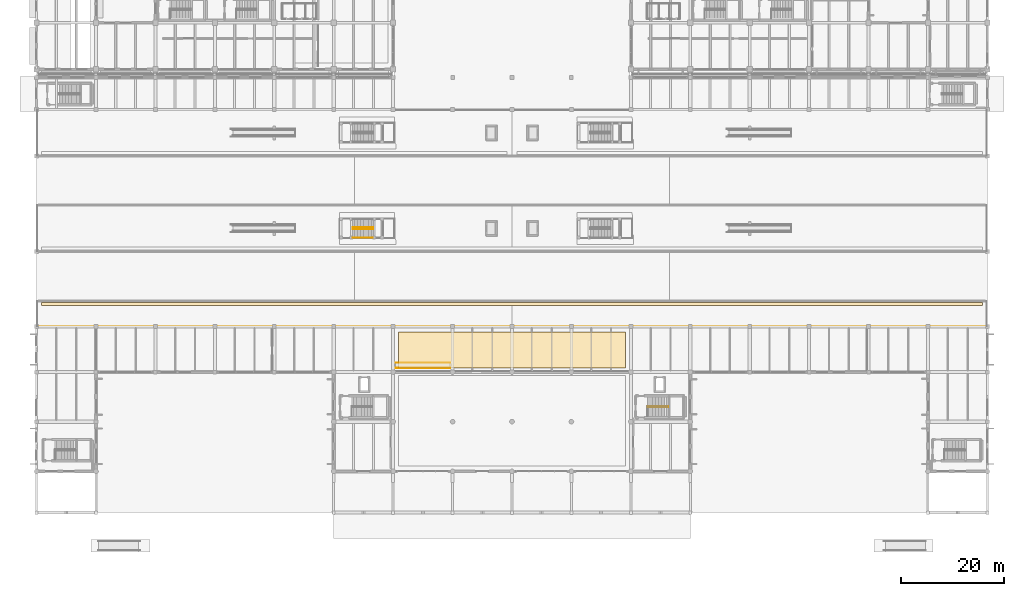
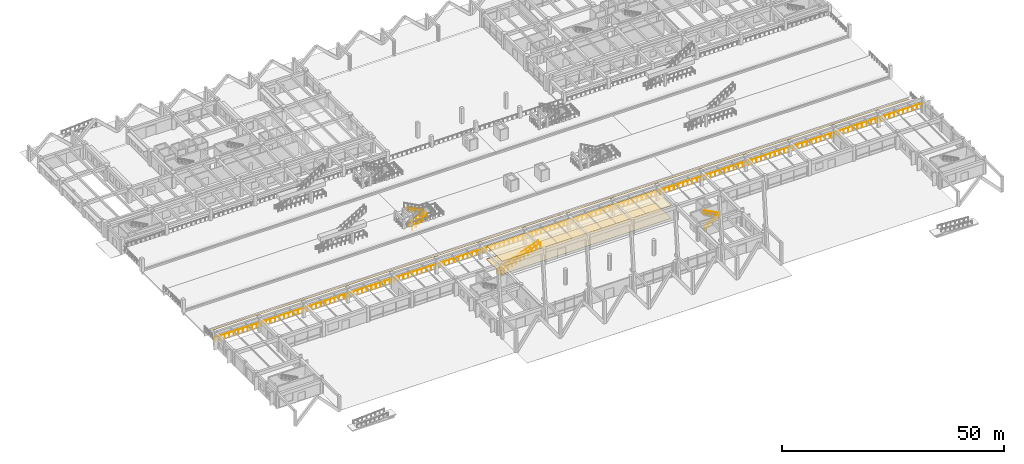
# One storey, part 100 of 109: 7 railings, 3 coverings.
"""IFC4 building model written with IfcOpenShell, lengths in metres."""

from ifc_helpers import new_model, si_unit, direction, frame, origin, origin_2d, place, context, subcontext, project, spatial, polyline, circle, outline, extrude, material, layer, layer_set, type_object, element, save


model = new_model("IFC4")

# Units and contexts
model_context = context("Model", 3, precision=1e-05, world=origin(), true_north=direction((0.0, 1.0)))
body_context = subcontext(model_context, "Body", "Model", "MODEL_VIEW")
ifc_project = project(units=[si_unit("LENGTHUNIT", "METRE"), si_unit("AREAUNIT", "SQUARE_METRE"), si_unit("VOLUMEUNIT", "CUBIC_METRE"), si_unit("PLANEANGLEUNIT", "RADIAN"), si_unit("MASSUNIT", "GRAM", prefix="KILO")], contexts=[model_context])

# Site, building, storey
site_placement = place(None, origin())
site = spatial("IfcSite", under=ifc_project, at=site_placement, CompositionType="ELEMENT")
building_placement = place(site_placement, origin())
building = spatial("IfcBuilding", under=site, at=building_placement, Name="Ologun Quay Terminus", CompositionType="ELEMENT")
storey_placement = place(building_placement, origin())
storey = spatial("IfcBuildingStorey", under=building, at=storey_placement, Name="L00", CompositionType="ELEMENT", Elevation=0.0)

# Railings
ifc_material_1 = material(Name="Glass", Category="glass")
railing_type_1 = type_object("IfcRailingType", Name="Concourse & Atrium Glazed Balustrade 1150", PredefinedType="BALUSTRADE", material=ifc_material_1)
for number, where, name in (
    (1, (69.5, 27.97998046875, 0.0), "BL-GL Escalator Side Balustrade ESC-05-S"),
    (2, (69.5, 29.02001953125, 0.0), "BL-GL Escalator Side Balustrade ESC-05-N"),
):
    element("IfcRailing", number, at=place(storey_placement, frame(where)), inside=storey, type_object=railing_type_1, Name=name, PredefinedType="BALUSTRADE", context=body_context, shape_type="SweptSolid", body=[
        extrude(circle(Radius=0.02392578125, at=origin_2d()), frame((0.0, 0.0, 1.1259765625), z_axis=(0.92847817974, 0.0, 0.371386954196), x_axis=(0.0, 1.0, 0.0)), (0.0, 0.0, 1.0), 11.308837890625),
        extrude(circle(Radius=0.02099609375, at=origin_2d()), origin(), (0.0, 0.0, 1.0), 1.101806640625),
        extrude(circle(Radius=0.02099609375, at=origin_2d()), frame((1.050048828125, 0.0, 0.419921875)), (0.0, 0.0, 1.0), 1.101806640625),
        extrude(circle(Radius=0.02099609375, at=origin_2d()), frame((2.10009765625, 0.0, 0.840087890625)), (0.0, 0.0, 1.0), 1.101806640625),
        extrude(circle(Radius=0.02099609375, at=origin_2d()), frame((3.14990234375, 0.0, 1.260009765625)), (0.0, 0.0, 1.0), 1.101806640625),
        extrude(circle(Radius=0.02099609375, at=origin_2d()), frame((4.199951171875, 0.0, 1.679931640625)), (0.0, 0.0, 1.0), 1.101806640625),
        extrude(circle(Radius=0.02099609375, at=origin_2d()), frame((5.25, 0.0, 2.10009765625)), (0.0, 0.0, 1.0), 1.101806640625),
        extrude(circle(Radius=0.02099609375, at=origin_2d()), frame((6.300048828125, 0.0, 2.52001953125)), (0.0, 0.0, 1.0), 1.101806640625),
        extrude(circle(Radius=0.02099609375, at=origin_2d()), frame((7.35009765625, 0.0, 2.93994140625)), (0.0, 0.0, 1.0), 1.101806640625),
        extrude(circle(Radius=0.02099609375, at=origin_2d()), frame((8.39990234375, 0.0, 3.35986328125)), (0.0, 0.0, 1.0), 1.101806640625),
        extrude(circle(Radius=0.02099609375, at=origin_2d()), frame((9.449951171875, 0.0, 3.780029296875)), (0.0, 0.0, 1.0), 1.101806640625),
        extrude(circle(Radius=0.02099609375, at=origin_2d()), frame((10.5, 0.0, 4.199951171875)), (0.0, 0.0, 1.0), 1.101806640625),
    ])
railing_1_placement = place(storey_placement, frame((0.1201171875, 36.080078125, 1.25)))
element("IfcRailing", 3, at=railing_1_placement, inside=storey, type_object=railing_type_1, Name="BL-GL Platform 3 South Edge Guard L00", PredefinedType="BALUSTRADE", context=body_context, shape_type="SweptSolid", body=[
    extrude(circle(Radius=0.02392578125, at=origin_2d()), frame((0.0, 0.0, 1.1259765625), z_axis=(1.0, 0.0, 0.0), x_axis=(0.0, 1.0, 0.0)), (0.0, 0.0, 1.0), 183.759765625),
    extrude(circle(Radius=0.02099609375, at=origin_2d()), origin(), (0.0, 0.0, 1.0), 1.101806640625),
    extrude(circle(Radius=0.02099609375, at=origin_2d()), frame((1.193359375, 0.0, 0.0)), (0.0, 0.0, 1.0), 1.101806640625),
    extrude(circle(Radius=0.02099609375, at=origin_2d()), frame((2.386474609375, 0.0, 0.0)), (0.0, 0.0, 1.0), 1.101806640625),
    extrude(circle(Radius=0.02099609375, at=origin_2d()), frame((3.579833984375, 0.0, 0.0)), (0.0, 0.0, 1.0), 1.101806640625),
    extrude(circle(Radius=0.02099609375, at=origin_2d()), frame((4.77294921875, 0.0, 0.0)), (0.0, 0.0, 1.0), 1.101806640625),
    extrude(circle(Radius=0.02099609375, at=origin_2d()), frame((5.96630859375, 0.0, 0.0)), (0.0, 0.0, 1.0), 1.101806640625),
    extrude(circle(Radius=0.02099609375, at=origin_2d()), frame((7.159423828125, 0.0, 0.0)), (0.0, 0.0, 1.0), 1.101806640625),
    extrude(circle(Radius=0.02099609375, at=origin_2d()), frame((8.352783203125, 0.0, 0.0)), (0.0, 0.0, 1.0), 1.101806640625),
    extrude(circle(Radius=0.02099609375, at=origin_2d()), frame((9.5458984375, 0.0, 0.0)), (0.0, 0.0, 1.0), 1.101806640625),
    extrude(circle(Radius=0.02099609375, at=origin_2d()), frame((10.7392578125, 0.0, 0.0)), (0.0, 0.0, 1.0), 1.101806640625),
    extrude(circle(Radius=0.02099609375, at=origin_2d()), frame((11.932373046875, 0.0, 0.0)), (0.0, 0.0, 1.0), 1.101806640625),
    extrude(circle(Radius=0.02099609375, at=origin_2d()), frame((13.125732421875, 0.0, 0.0)), (0.0, 0.0, 1.0), 1.101806640625),
    extrude(circle(Radius=0.02099609375, at=origin_2d()), frame((14.31884765625, 0.0, 0.0)), (0.0, 0.0, 1.0), 1.101806640625),
    extrude(circle(Radius=0.02099609375, at=origin_2d()), frame((15.51220703125, 0.0, 0.0)), (0.0, 0.0, 1.0), 1.101806640625),
    extrude(circle(Radius=0.02099609375, at=origin_2d()), frame((16.705322265625, 0.0, 0.0)), (0.0, 0.0, 1.0), 1.101806640625),
    extrude(circle(Radius=0.02099609375, at=origin_2d()), frame((17.898681640625, 0.0, 0.0)), (0.0, 0.0, 1.0), 1.101806640625),
    extrude(circle(Radius=0.02099609375, at=origin_2d()), frame((19.092041015625, 0.0, 0.0)), (0.0, 0.0, 1.0), 1.101806640625),
    extrude(circle(Radius=0.02099609375, at=origin_2d()), frame((20.28515625, 0.0, 0.0)), (0.0, 0.0, 1.0), 1.101806640625),
    extrude(circle(Radius=0.02099609375, at=origin_2d()), frame((21.478515625, 0.0, 0.0)), (0.0, 0.0, 1.0), 1.101806640625),
    extrude(circle(Radius=0.02099609375, at=origin_2d()), frame((22.671630859375, 0.0, 0.0)), (0.0, 0.0, 1.0), 1.101806640625),
    extrude(circle(Radius=0.02099609375, at=origin_2d()), frame((23.864990234375, 0.0, 0.0)), (0.0, 0.0, 1.0), 1.101806640625),
    extrude(circle(Radius=0.02099609375, at=origin_2d()), frame((25.05810546875, 0.0, 0.0)), (0.0, 0.0, 1.0), 1.101806640625),
    extrude(circle(Radius=0.02099609375, at=origin_2d()), frame((26.25146484375, 0.0, 0.0)), (0.0, 0.0, 1.0), 1.101806640625),
    extrude(circle(Radius=0.02099609375, at=origin_2d()), frame((27.444580078125, 0.0, 0.0)), (0.0, 0.0, 1.0), 1.101806640625),
    extrude(circle(Radius=0.02099609375, at=origin_2d()), frame((28.637939453125, 0.0, 0.0)), (0.0, 0.0, 1.0), 1.101806640625),
    extrude(circle(Radius=0.02099609375, at=origin_2d()), frame((29.8310546875, 0.0, 0.0)), (0.0, 0.0, 1.0), 1.101806640625),
    extrude(circle(Radius=0.02099609375, at=origin_2d()), frame((31.0244140625, 0.0, 0.0)), (0.0, 0.0, 1.0), 1.101806640625),
    extrude(circle(Radius=0.02099609375, at=origin_2d()), frame((32.217529296875, 0.0, 0.0)), (0.0, 0.0, 1.0), 1.101806640625),
    extrude(circle(Radius=0.02099609375, at=origin_2d()), frame((33.410888671875, 0.0, 0.0)), (0.0, 0.0, 1.0), 1.101806640625),
    extrude(circle(Radius=0.02099609375, at=origin_2d()), frame((34.60400390625, 0.0, 0.0)), (0.0, 0.0, 1.0), 1.101806640625),
    extrude(circle(Radius=0.02099609375, at=origin_2d()), frame((35.79736328125, 0.0, 0.0)), (0.0, 0.0, 1.0), 1.101806640625),
    extrude(circle(Radius=0.02099609375, at=origin_2d()), frame((36.99072265625, 0.0, 0.0)), (0.0, 0.0, 1.0), 1.101806640625),
    extrude(circle(Radius=0.02099609375, at=origin_2d()), frame((38.183837890625, 0.0, 0.0)), (0.0, 0.0, 1.0), 1.101806640625),
    extrude(circle(Radius=0.02099609375, at=origin_2d()), frame((39.377197265625, 0.0, 0.0)), (0.0, 0.0, 1.0), 1.101806640625),
    extrude(circle(Radius=0.02099609375, at=origin_2d()), frame((40.5703125, 0.0, 0.0)), (0.0, 0.0, 1.0), 1.101806640625),
    extrude(circle(Radius=0.02099609375, at=origin_2d()), frame((41.763671875, 0.0, 0.0)), (0.0, 0.0, 1.0), 1.101806640625),
    extrude(circle(Radius=0.02099609375, at=origin_2d()), frame((42.956787109375, 0.0, 0.0)), (0.0, 0.0, 1.0), 1.101806640625),
    extrude(circle(Radius=0.02099609375, at=origin_2d()), frame((44.150146484375, 0.0, 0.0)), (0.0, 0.0, 1.0), 1.101806640625),
    extrude(circle(Radius=0.02099609375, at=origin_2d()), frame((45.34326171875, 0.0, 0.0)), (0.0, 0.0, 1.0), 1.101806640625),
    extrude(circle(Radius=0.02099609375, at=origin_2d()), frame((46.53662109375, 0.0, 0.0)), (0.0, 0.0, 1.0), 1.101806640625),
    extrude(circle(Radius=0.02099609375, at=origin_2d()), frame((47.729736328125, 0.0, 0.0)), (0.0, 0.0, 1.0), 1.101806640625),
    extrude(circle(Radius=0.02099609375, at=origin_2d()), frame((48.923095703125, 0.0, 0.0)), (0.0, 0.0, 1.0), 1.101806640625),
    extrude(circle(Radius=0.02099609375, at=origin_2d()), frame((50.1162109375, 0.0, 0.0)), (0.0, 0.0, 1.0), 1.101806640625),
    extrude(circle(Radius=0.02099609375, at=origin_2d()), frame((51.3095703125, 0.0, 0.0)), (0.0, 0.0, 1.0), 1.101806640625),
    extrude(circle(Radius=0.02099609375, at=origin_2d()), frame((52.502685546875, 0.0, 0.0)), (0.0, 0.0, 1.0), 1.101806640625),
    extrude(circle(Radius=0.02099609375, at=origin_2d()), frame((53.696044921875, 0.0, 0.0)), (0.0, 0.0, 1.0), 1.101806640625),
    extrude(circle(Radius=0.02099609375, at=origin_2d()), frame((54.88916015625, 0.0, 0.0)), (0.0, 0.0, 1.0), 1.101806640625),
    extrude(circle(Radius=0.02099609375, at=origin_2d()), frame((56.08251953125, 0.0, 0.0)), (0.0, 0.0, 1.0), 1.101806640625),
    extrude(circle(Radius=0.02099609375, at=origin_2d()), frame((57.27587890625, 0.0, 0.0)), (0.0, 0.0, 1.0), 1.101806640625),
    extrude(circle(Radius=0.02099609375, at=origin_2d()), frame((58.468994140625, 0.0, 0.0)), (0.0, 0.0, 1.0), 1.101806640625),
    extrude(circle(Radius=0.02099609375, at=origin_2d()), frame((59.662353515625, 0.0, 0.0)), (0.0, 0.0, 1.0), 1.101806640625),
    extrude(circle(Radius=0.02099609375, at=origin_2d()), frame((60.85546875, 0.0, 0.0)), (0.0, 0.0, 1.0), 1.101806640625),
    extrude(circle(Radius=0.02099609375, at=origin_2d()), frame((62.048828125, 0.0, 0.0)), (0.0, 0.0, 1.0), 1.101806640625),
    extrude(circle(Radius=0.02099609375, at=origin_2d()), frame((63.241943359375, 0.0, 0.0)), (0.0, 0.0, 1.0), 1.101806640625),
    extrude(circle(Radius=0.02099609375, at=origin_2d()), frame((64.435302734375, 0.0, 0.0)), (0.0, 0.0, 1.0), 1.101806640625),
    extrude(circle(Radius=0.02099609375, at=origin_2d()), frame((65.62841796875, 0.0, 0.0)), (0.0, 0.0, 1.0), 1.101806640625),
    extrude(circle(Radius=0.02099609375, at=origin_2d()), frame((66.82177734375, 0.0, 0.0)), (0.0, 0.0, 1.0), 1.101806640625),
    extrude(circle(Radius=0.02099609375, at=origin_2d()), frame((68.014892578125, 0.0, 0.0)), (0.0, 0.0, 1.0), 1.101806640625),
    extrude(circle(Radius=0.02099609375, at=origin_2d()), frame((69.208251953125, 0.0, 0.0)), (0.0, 0.0, 1.0), 1.101806640625),
    extrude(circle(Radius=0.02099609375, at=origin_2d()), frame((70.4013671875, 0.0, 0.0)), (0.0, 0.0, 1.0), 1.101806640625),
    extrude(circle(Radius=0.02099609375, at=origin_2d()), frame((71.5947265625, 0.0, 0.0)), (0.0, 0.0, 1.0), 1.101806640625),
    extrude(circle(Radius=0.02099609375, at=origin_2d()), frame((72.787841796875, 0.0, 0.0)), (0.0, 0.0, 1.0), 1.101806640625),
    extrude(circle(Radius=0.02099609375, at=origin_2d()), frame((73.981201171875, 0.0, 0.0)), (0.0, 0.0, 1.0), 1.101806640625),
    extrude(circle(Radius=0.02099609375, at=origin_2d()), frame((75.174560546875, 0.0, 0.0)), (0.0, 0.0, 1.0), 1.101806640625),
    extrude(circle(Radius=0.02099609375, at=origin_2d()), frame((76.36767578125, 0.0, 0.0)), (0.0, 0.0, 1.0), 1.101806640625),
    extrude(circle(Radius=0.02099609375, at=origin_2d()), frame((77.56103515625, 0.0, 0.0)), (0.0, 0.0, 1.0), 1.101806640625),
    extrude(circle(Radius=0.02099609375, at=origin_2d()), frame((78.754150390625, 0.0, 0.0)), (0.0, 0.0, 1.0), 1.101806640625),
    extrude(circle(Radius=0.02099609375, at=origin_2d()), frame((79.947509765625, 0.0, 0.0)), (0.0, 0.0, 1.0), 1.101806640625),
    extrude(circle(Radius=0.02099609375, at=origin_2d()), frame((81.140625, 0.0, 0.0)), (0.0, 0.0, 1.0), 1.101806640625),
    extrude(circle(Radius=0.02099609375, at=origin_2d()), frame((82.333984375, 0.0, 0.0)), (0.0, 0.0, 1.0), 1.101806640625),
    extrude(circle(Radius=0.02099609375, at=origin_2d()), frame((83.527099609375, 0.0, 0.0)), (0.0, 0.0, 1.0), 1.101806640625),
    extrude(circle(Radius=0.02099609375, at=origin_2d()), frame((84.720458984375, 0.0, 0.0)), (0.0, 0.0, 1.0), 1.101806640625),
    extrude(circle(Radius=0.02099609375, at=origin_2d()), frame((85.91357421875, 0.0, 0.0)), (0.0, 0.0, 1.0), 1.101806640625),
    extrude(circle(Radius=0.02099609375, at=origin_2d()), frame((87.10693359375, 0.0, 0.0)), (0.0, 0.0, 1.0), 1.101806640625),
    extrude(circle(Radius=0.02099609375, at=origin_2d()), frame((88.300048828125, 0.0, 0.0)), (0.0, 0.0, 1.0), 1.101806640625),
    extrude(circle(Radius=0.02099609375, at=origin_2d()), frame((89.493408203125, 0.0, 0.0)), (0.0, 0.0, 1.0), 1.101806640625),
    extrude(circle(Radius=0.02099609375, at=origin_2d()), frame((90.6865234375, 0.0, 0.0)), (0.0, 0.0, 1.0), 1.101806640625),
    extrude(circle(Radius=0.02099609375, at=origin_2d()), frame((91.8798828125, 0.0, 0.0)), (0.0, 0.0, 1.0), 1.101806640625),
    extrude(circle(Radius=0.02099609375, at=origin_2d()), frame((93.0732421875, 0.0, 0.0)), (0.0, 0.0, 1.0), 1.101806640625),
    extrude(circle(Radius=0.02099609375, at=origin_2d()), frame((94.266357421875, 0.0, 0.0)), (0.0, 0.0, 1.0), 1.101806640625),
    extrude(circle(Radius=0.02099609375, at=origin_2d()), frame((95.459716796875, 0.0, 0.0)), (0.0, 0.0, 1.0), 1.101806640625),
    extrude(circle(Radius=0.02099609375, at=origin_2d()), frame((96.65283203125, 0.0, 0.0)), (0.0, 0.0, 1.0), 1.101806640625),
    extrude(circle(Radius=0.02099609375, at=origin_2d()), frame((97.84619140625, 0.0, 0.0)), (0.0, 0.0, 1.0), 1.101806640625),
    extrude(circle(Radius=0.02099609375, at=origin_2d()), frame((99.039306640625, 0.0, 0.0)), (0.0, 0.0, 1.0), 1.101806640625),
    extrude(circle(Radius=0.02099609375, at=origin_2d()), frame((100.232666015625, 0.0, 0.0)), (0.0, 0.0, 1.0), 1.101806640625),
    extrude(circle(Radius=0.02099609375, at=origin_2d()), frame((101.42578125, 0.0, 0.0)), (0.0, 0.0, 1.0), 1.101806640625),
    extrude(circle(Radius=0.02099609375, at=origin_2d()), frame((102.619140625, 0.0, 0.0)), (0.0, 0.0, 1.0), 1.101806640625),
    extrude(circle(Radius=0.02099609375, at=origin_2d()), frame((103.812255859375, 0.0, 0.0)), (0.0, 0.0, 1.0), 1.101806640625),
    extrude(circle(Radius=0.02099609375, at=origin_2d()), frame((105.005615234375, 0.0, 0.0)), (0.0, 0.0, 1.0), 1.101806640625),
    extrude(circle(Radius=0.02099609375, at=origin_2d()), frame((106.19873046875, 0.0, 0.0)), (0.0, 0.0, 1.0), 1.101806640625),
    extrude(circle(Radius=0.02099609375, at=origin_2d()), frame((107.39208984375, 0.0, 0.0)), (0.0, 0.0, 1.0), 1.101806640625),
    extrude(circle(Radius=0.02099609375, at=origin_2d()), frame((108.585205078125, 0.0, 0.0)), (0.0, 0.0, 1.0), 1.101806640625),
    extrude(circle(Radius=0.02099609375, at=origin_2d()), frame((109.778564453125, 0.0, 0.0)), (0.0, 0.0, 1.0), 1.101806640625),
    extrude(circle(Radius=0.02099609375, at=origin_2d()), frame((110.971923828125, 0.0, 0.0)), (0.0, 0.0, 1.0), 1.101806640625),
    extrude(circle(Radius=0.02099609375, at=origin_2d()), frame((112.1650390625, 0.0, 0.0)), (0.0, 0.0, 1.0), 1.101806640625),
    extrude(circle(Radius=0.02099609375, at=origin_2d()), frame((113.3583984375, 0.0, 0.0)), (0.0, 0.0, 1.0), 1.101806640625),
    extrude(circle(Radius=0.02099609375, at=origin_2d()), frame((114.551513671875, 0.0, 0.0)), (0.0, 0.0, 1.0), 1.101806640625),
    extrude(circle(Radius=0.02099609375, at=origin_2d()), frame((115.744873046875, 0.0, 0.0)), (0.0, 0.0, 1.0), 1.101806640625),
    extrude(circle(Radius=0.02099609375, at=origin_2d()), frame((116.93798828125, 0.0, 0.0)), (0.0, 0.0, 1.0), 1.101806640625),
    extrude(circle(Radius=0.02099609375, at=origin_2d()), frame((118.13134765625, 0.0, 0.0)), (0.0, 0.0, 1.0), 1.101806640625),
    extrude(circle(Radius=0.02099609375, at=origin_2d()), frame((119.324462890625, 0.0, 0.0)), (0.0, 0.0, 1.0), 1.101806640625),
    extrude(circle(Radius=0.02099609375, at=origin_2d()), frame((120.517822265625, 0.0, 0.0)), (0.0, 0.0, 1.0), 1.101806640625),
    extrude(circle(Radius=0.02099609375, at=origin_2d()), frame((121.7109375, 0.0, 0.0)), (0.0, 0.0, 1.0), 1.101806640625),
    extrude(circle(Radius=0.02099609375, at=origin_2d()), frame((122.904296875, 0.0, 0.0)), (0.0, 0.0, 1.0), 1.101806640625),
    extrude(circle(Radius=0.02099609375, at=origin_2d()), frame((124.097412109375, 0.0, 0.0)), (0.0, 0.0, 1.0), 1.101806640625),
    extrude(circle(Radius=0.02099609375, at=origin_2d()), frame((125.290771484375, 0.0, 0.0)), (0.0, 0.0, 1.0), 1.101806640625),
    extrude(circle(Radius=0.02099609375, at=origin_2d()), frame((126.48388671875, 0.0, 0.0)), (0.0, 0.0, 1.0), 1.101806640625),
    extrude(circle(Radius=0.02099609375, at=origin_2d()), frame((127.67724609375, 0.0, 0.0)), (0.0, 0.0, 1.0), 1.101806640625),
    extrude(circle(Radius=0.02099609375, at=origin_2d()), frame((128.87060546875, 0.0, 0.0)), (0.0, 0.0, 1.0), 1.101806640625),
    extrude(circle(Radius=0.02099609375, at=origin_2d()), frame((130.063720703125, 0.0, 0.0)), (0.0, 0.0, 1.0), 1.101806640625),
    extrude(circle(Radius=0.02099609375, at=origin_2d()), frame((131.257080078125, 0.0, 0.0)), (0.0, 0.0, 1.0), 1.101806640625),
    extrude(circle(Radius=0.02099609375, at=origin_2d()), frame((132.4501953125, 0.0, 0.0)), (0.0, 0.0, 1.0), 1.101806640625),
    extrude(circle(Radius=0.02099609375, at=origin_2d()), frame((133.6435546875, 0.0, 0.0)), (0.0, 0.0, 1.0), 1.101806640625),
    extrude(circle(Radius=0.02099609375, at=origin_2d()), frame((134.836669921875, 0.0, 0.0)), (0.0, 0.0, 1.0), 1.101806640625),
    extrude(circle(Radius=0.02099609375, at=origin_2d()), frame((136.030029296875, 0.0, 0.0)), (0.0, 0.0, 1.0), 1.101806640625),
    extrude(circle(Radius=0.02099609375, at=origin_2d()), frame((137.22314453125, 0.0, 0.0)), (0.0, 0.0, 1.0), 1.101806640625),
    extrude(circle(Radius=0.02099609375, at=origin_2d()), frame((138.41650390625, 0.0, 0.0)), (0.0, 0.0, 1.0), 1.101806640625),
    extrude(circle(Radius=0.02099609375, at=origin_2d()), frame((139.609619140625, 0.0, 0.0)), (0.0, 0.0, 1.0), 1.101806640625),
    extrude(circle(Radius=0.02099609375, at=origin_2d()), frame((140.802978515625, 0.0, 0.0)), (0.0, 0.0, 1.0), 1.101806640625),
    extrude(circle(Radius=0.02099609375, at=origin_2d()), frame((141.99609375, 0.0, 0.0)), (0.0, 0.0, 1.0), 1.101806640625),
    extrude(circle(Radius=0.02099609375, at=origin_2d()), frame((143.189453125, 0.0, 0.0)), (0.0, 0.0, 1.0), 1.101806640625),
    extrude(circle(Radius=0.02099609375, at=origin_2d()), frame((144.382568359375, 0.0, 0.0)), (0.0, 0.0, 1.0), 1.101806640625),
    extrude(circle(Radius=0.02099609375, at=origin_2d()), frame((145.575927734375, 0.0, 0.0)), (0.0, 0.0, 1.0), 1.101806640625),
    extrude(circle(Radius=0.02099609375, at=origin_2d()), frame((146.76904296875, 0.0, 0.0)), (0.0, 0.0, 1.0), 1.101806640625),
    extrude(circle(Radius=0.02099609375, at=origin_2d()), frame((147.96240234375, 0.0, 0.0)), (0.0, 0.0, 1.0), 1.101806640625),
    extrude(circle(Radius=0.02099609375, at=origin_2d()), frame((149.15576171875, 0.0, 0.0)), (0.0, 0.0, 1.0), 1.101806640625),
    extrude(circle(Radius=0.02099609375, at=origin_2d()), frame((150.348876953125, 0.0, 0.0)), (0.0, 0.0, 1.0), 1.101806640625),
    extrude(circle(Radius=0.02099609375, at=origin_2d()), frame((151.542236328125, 0.0, 0.0)), (0.0, 0.0, 1.0), 1.101806640625),
    extrude(circle(Radius=0.02099609375, at=origin_2d()), frame((152.7353515625, 0.0, 0.0)), (0.0, 0.0, 1.0), 1.101806640625),
    extrude(circle(Radius=0.02099609375, at=origin_2d()), frame((153.9287109375, 0.0, 0.0)), (0.0, 0.0, 1.0), 1.101806640625),
    extrude(circle(Radius=0.02099609375, at=origin_2d()), frame((155.121826171875, 0.0, 0.0)), (0.0, 0.0, 1.0), 1.101806640625),
    extrude(circle(Radius=0.02099609375, at=origin_2d()), frame((156.315185546875, 0.0, 0.0)), (0.0, 0.0, 1.0), 1.101806640625),
    extrude(circle(Radius=0.02099609375, at=origin_2d()), frame((157.50830078125, 0.0, 0.0)), (0.0, 0.0, 1.0), 1.101806640625),
    extrude(circle(Radius=0.02099609375, at=origin_2d()), frame((158.70166015625, 0.0, 0.0)), (0.0, 0.0, 1.0), 1.101806640625),
    extrude(circle(Radius=0.02099609375, at=origin_2d()), frame((159.894775390625, 0.0, 0.0)), (0.0, 0.0, 1.0), 1.101806640625),
    extrude(circle(Radius=0.02099609375, at=origin_2d()), frame((161.088134765625, 0.0, 0.0)), (0.0, 0.0, 1.0), 1.101806640625),
    extrude(circle(Radius=0.02099609375, at=origin_2d()), frame((162.28125, 0.0, 0.0)), (0.0, 0.0, 1.0), 1.101806640625),
    extrude(circle(Radius=0.02099609375, at=origin_2d()), frame((163.474609375, 0.0, 0.0)), (0.0, 0.0, 1.0), 1.101806640625),
    extrude(circle(Radius=0.02099609375, at=origin_2d()), frame((164.667724609375, 0.0, 0.0)), (0.0, 0.0, 1.0), 1.101806640625),
    extrude(circle(Radius=0.02099609375, at=origin_2d()), frame((165.861083984375, 0.0, 0.0)), (0.0, 0.0, 1.0), 1.101806640625),
    extrude(circle(Radius=0.02099609375, at=origin_2d()), frame((167.054443359375, 0.0, 0.0)), (0.0, 0.0, 1.0), 1.101806640625),
    extrude(circle(Radius=0.02099609375, at=origin_2d()), frame((168.24755859375, 0.0, 0.0)), (0.0, 0.0, 1.0), 1.101806640625),
    extrude(circle(Radius=0.02099609375, at=origin_2d()), frame((169.44091796875, 0.0, 0.0)), (0.0, 0.0, 1.0), 1.101806640625),
    extrude(circle(Radius=0.02099609375, at=origin_2d()), frame((170.634033203125, 0.0, 0.0)), (0.0, 0.0, 1.0), 1.101806640625),
    extrude(circle(Radius=0.02099609375, at=origin_2d()), frame((171.827392578125, 0.0, 0.0)), (0.0, 0.0, 1.0), 1.101806640625),
    extrude(circle(Radius=0.02099609375, at=origin_2d()), frame((173.0205078125, 0.0, 0.0)), (0.0, 0.0, 1.0), 1.101806640625),
    extrude(circle(Radius=0.02099609375, at=origin_2d()), frame((174.2138671875, 0.0, 0.0)), (0.0, 0.0, 1.0), 1.101806640625),
    extrude(circle(Radius=0.02099609375, at=origin_2d()), frame((175.406982421875, 0.0, 0.0)), (0.0, 0.0, 1.0), 1.101806640625),
    extrude(circle(Radius=0.02099609375, at=origin_2d()), frame((176.600341796875, 0.0, 0.0)), (0.0, 0.0, 1.0), 1.101806640625),
    extrude(circle(Radius=0.02099609375, at=origin_2d()), frame((177.79345703125, 0.0, 0.0)), (0.0, 0.0, 1.0), 1.101806640625),
    extrude(circle(Radius=0.02099609375, at=origin_2d()), frame((178.98681640625, 0.0, 0.0)), (0.0, 0.0, 1.0), 1.101806640625),
    extrude(circle(Radius=0.02099609375, at=origin_2d()), frame((180.179931640625, 0.0, 0.0)), (0.0, 0.0, 1.0), 1.101806640625),
    extrude(circle(Radius=0.02099609375, at=origin_2d()), frame((181.373291015625, 0.0, 0.0)), (0.0, 0.0, 1.0), 1.101806640625),
    extrude(circle(Radius=0.02099609375, at=origin_2d()), frame((182.56640625, 0.0, 0.0)), (0.0, 0.0, 1.0), 1.101806640625),
    extrude(circle(Radius=0.02099609375, at=origin_2d()), frame((183.759765625, 0.0, 0.0)), (0.0, 0.0, 1.0), 1.101806640625),
])

# Coverings
ifc_material_2 = material(Name="Aluminium 6063-T6", Category="aluminium")
ifc_layer_1 = layer(ifc_material_2, 0.034912109375)
ifc_layer_set_1 = layer_set([ifc_layer_1], Name="Aluminium 6063-T6")
covering_type_1 = type_object("IfcCoveringType", Name="Perforated Aluminium Acoustic Baffle Ceiling 35", PredefinedType="CEILING", material=ifc_layer_set_1)
covering_1_placement = place(storey_placement, frame((0.0, 0.0, 3.60009765625)))
element("IfcCovering", 4, at=covering_1_placement, inside=storey, type_object=covering_type_1, Name="CV-CL1 Acoustic Ceiling 1", PredefinedType="CEILING", context=body_context, shape_type="SweptSolid", body=[
    extrude(outline(polyline([(70.0, 28.0), (114.0, 28.0), (114.0, 35.0), (70.0, 35.0), (70.0, 28.0)])), origin(), (0.0, 0.0, 1.0), 0.034912109375),
])
ifc_material_3 = material(Name="Precast Concrete C40/50", Category="concrete")
ifc_layer_2 = layer(ifc_material_3, 0.02490234375)
ifc_layer_set_2 = layer_set([ifc_layer_2], Name="Precast Concrete C40/50")
covering_type_2 = type_object("IfcCoveringType", Name="Platform Tactile Blister Warning Strip 25", PredefinedType="USERDEFINED", material=ifc_layer_set_2)
covering_2_placement = place(storey_placement, frame((0.0, 0.0, 1.25)))
element("IfcCovering", 5, at=covering_2_placement, inside=storey, type_object=covering_type_2, Name="CV-TAC Platform Tactile Warning Strip P3", ObjectType="PAVING", PredefinedType="USERDEFINED", context=body_context, shape_type="SweptSolid", body=[
    extrude(outline(polyline([(1.0, 40.10009765625), (183.0, 40.10009765625), (183.0, 40.699951171875), (1.0, 40.699951171875), (1.0, 40.10009765625)])), origin(), (0.0, 0.0, 1.0), 0.02490234375),
])

# Railings
ifc_material_4 = material(Name="Steel S355", Category="steel")
railing_type_2 = type_object("IfcRailingType", Name="Stair & Landing Steel Guardrail 1100", PredefinedType="GUARDRAIL", material=ifc_material_4)
railing_2_placement = place(storey_placement, frame((118.25, 20.39990234375, 0.0)))
element("IfcRailing", 6, at=railing_2_placement, inside=storey, type_object=railing_type_2, Name="GR-ST Stair Inner Well Guard ST-S4 L00", PredefinedType="GUARDRAIL", context=body_context, shape_type="SweptSolid", body=[
    extrude(circle(Radius=0.02392578125, at=origin_2d()), frame((0.0, 0.0, 1.076171875), z_axis=(0.881967403671, 0.0, 0.471310406062), x_axis=(0.0, 1.0, 0.0)), (0.0, 0.0, 1.0), 4.455810546875),
    extrude(circle(Radius=0.02392578125, at=origin_2d()), frame((3.929931640625, 0.0, 3.17626953125), z_axis=(0.0, 1.0, 0.0), x_axis=(-1.0, 0.0, 0.0)), (0.0, 0.0, 1.0), 0.2001953125),
    extrude(circle(Radius=0.02392578125, at=origin_2d()), frame((3.929931640625, 0.2001953125, 3.17626953125), z_axis=(-0.881990178689, 0.0, 0.471267784488), x_axis=(0.0, -1.0, 0.0)), (0.0, 0.0, 1.0), 4.455810546875),
    extrude(circle(Radius=0.02099609375, at=origin_2d()), origin(), (0.0, 0.0, 1.0), 1.052001953125),
    extrude(circle(Radius=0.02099609375, at=origin_2d()), frame((0.982421875, 0.0, 0.52490234375)), (0.0, 0.0, 1.0), 1.052001953125),
    extrude(circle(Radius=0.02099609375, at=origin_2d()), frame((1.96484375, 0.0, 1.050048828125)), (0.0, 0.0, 1.0), 1.052001953125),
    extrude(circle(Radius=0.02099609375, at=origin_2d()), frame((2.947509765625, 0.0, 1.5751953125)), (0.0, 0.0, 1.0), 1.052001953125),
    extrude(circle(Radius=0.02099609375, at=origin_2d()), frame((3.929931640625, 0.0, 2.10009765625)), (0.0, 0.0, 1.0), 1.052001953125),
    extrude(circle(Radius=0.02099609375, at=origin_2d()), frame((3.929931640625, 0.2001953125, 2.10009765625)), (0.0, 0.0, 1.0), 1.052001953125),
    extrude(circle(Radius=0.02099609375, at=origin_2d()), frame((2.947509765625, 0.2001953125, 2.625)), (0.0, 0.0, 1.0), 1.052001953125),
    extrude(circle(Radius=0.02099609375, at=origin_2d()), frame((1.96484375, 0.2001953125, 3.14990234375)), (0.0, 0.0, 1.0), 1.052001953125),
    extrude(circle(Radius=0.02099609375, at=origin_2d()), frame((0.982421875, 0.2001953125, 3.675048828125)), (0.0, 0.0, 1.0), 1.052001953125),
    extrude(circle(Radius=0.02099609375, at=origin_2d()), frame((0.0, 0.2001953125, 4.199951171875)), (0.0, 0.0, 1.0), 1.052001953125),
])
ifc_material_5 = material(Name="Steel S355", Category="steel")
railing_type_3 = type_object("IfcRailingType", Name="Stair Stainless Tubular Handrail 920", PredefinedType="HANDRAIL", material=ifc_material_5)
railing_3_placement = place(storey_placement, frame((61.199951171875, 54.840087890625, 0.14990234375)))
element("IfcRailing", 7, at=railing_3_placement, inside=storey, type_object=railing_type_3, Name="HR-ST Handrail ST-P1-F1 L00", PredefinedType="HANDRAIL", context=body_context, shape_type="SweptSolid", body=[
    extrude(circle(Radius=0.02392578125, at=origin_2d()), frame((0.0, 0.0, 0.89599609375), z_axis=(0.894415993023, 0.0, 0.447235990752), x_axis=(0.0, 1.0, 0.0)), (0.0, 0.0, 1.0), 4.360595703125),
    extrude(circle(Radius=0.02099609375, at=origin_2d()), origin(), (0.0, 0.0, 1.0), 0.871826171875),
    extrude(circle(Radius=0.02099609375, at=origin_2d()), frame((0.97509765625, 0.0, 0.487548828125)), (0.0, 0.0, 1.0), 0.871826171875),
    extrude(circle(Radius=0.02099609375, at=origin_2d()), frame((1.9501953125, 0.0, 0.97509765625)), (0.0, 0.0, 1.0), 0.871826171875),
    extrude(circle(Radius=0.02099609375, at=origin_2d()), frame((2.925048828125, 0.0, 1.462646484375)), (0.0, 0.0, 1.0), 0.871826171875),
    extrude(circle(Radius=0.02099609375, at=origin_2d()), frame((3.900146484375, 0.0, 1.9501953125)), (0.0, 0.0, 1.0), 0.871826171875),
])
railing_4_placement = place(storey_placement, frame((65.10009765625, 55.159912109375, 2.25)))
element("IfcRailing", 8, at=railing_4_placement, inside=storey, type_object=railing_type_3, Name="HR-ST Handrail ST-P1-F2 L00", PredefinedType="HANDRAIL", context=body_context, shape_type="SweptSolid", body=[
    extrude(circle(Radius=0.02392578125, at=origin_2d()), frame((0.0, 0.0, 0.89599609375), z_axis=(-0.894438388696, 0.0, 0.447191199406), x_axis=(0.0, -1.0, 0.0)), (0.0, 0.0, 1.0), 4.3603515625),
    extrude(circle(Radius=0.02099609375, at=origin_2d()), origin(), (0.0, 0.0, 1.0), 0.871826171875),
    extrude(circle(Radius=0.02099609375, at=origin_2d()), frame((-0.97509765625, 0.0, 0.487548828125)), (0.0, 0.0, 1.0), 0.871826171875),
    extrude(circle(Radius=0.02099609375, at=origin_2d()), frame((-1.9501953125, 0.0, 0.97509765625)), (0.0, 0.0, 1.0), 0.871826171875),
    extrude(circle(Radius=0.02099609375, at=origin_2d()), frame((-2.925048828125, 0.0, 1.46240234375)), (0.0, 0.0, 1.0), 0.871826171875),
    extrude(circle(Radius=0.02099609375, at=origin_2d()), frame((-3.900146484375, 0.0, 1.949951171875)), (0.0, 0.0, 1.0), 0.871826171875),
])
ifc_material_6 = material(Name="Steel S355", Category="steel")
railing_type_4 = type_object("IfcRailingType", Name="Terrace & Quay Perimeter Guardrail 1150", PredefinedType="GUARDRAIL", material=ifc_material_6)
railing_5_placement = place(storey_placement, frame((61.199951171875, 53.199951171875, 0.0)))
element("IfcRailing", 9, at=railing_5_placement, inside=storey, type_object=railing_type_4, Name="GR-TR Open Flight Outer Guard ST-P1-S L00", PredefinedType="GUARDRAIL", context=body_context, shape_type="SweptSolid", body=[
    extrude(circle(Radius=0.02392578125, at=origin_2d()), frame((0.0, 0.0, 1.1259765625), z_axis=(0.878931799495, 0.0, 0.476947472827), x_axis=(0.0, 1.0, 0.0)), (0.0, 0.0, 1.0), 4.4033203125),
    extrude(circle(Radius=0.02099609375, at=origin_2d()), origin(), (0.0, 0.0, 1.0), 1.101806640625),
    extrude(circle(Radius=0.02099609375, at=origin_2d()), frame((0.967529296875, 0.0, 0.52490234375)), (0.0, 0.0, 1.0), 1.101806640625),
    extrude(circle(Radius=0.02099609375, at=origin_2d()), frame((1.93505859375, 0.0, 1.050048828125)), (0.0, 0.0, 1.0), 1.101806640625),
    extrude(circle(Radius=0.02099609375, at=origin_2d()), frame((2.902587890625, 0.0, 1.5751953125)), (0.0, 0.0, 1.0), 1.101806640625),
    extrude(circle(Radius=0.02099609375, at=origin_2d()), frame((3.8701171875, 0.0, 2.10009765625)), (0.0, 0.0, 1.0), 1.101806640625),
])

# Covering
ifc_material_7 = material(Name="Precast Concrete C40/50", Category="concrete")
ifc_layer_3 = layer(ifc_material_7, 0.0400390625)
ifc_layer_set_3 = layer_set([ifc_layer_3], Name="Precast Concrete C40/50")
covering_type_3 = type_object("IfcCoveringType", Name="Terrazzo Station Concourse Flooring 40", PredefinedType="FLOORING", material=ifc_layer_set_3)
covering_3_placement = place(storey_placement, origin())
element("IfcCovering", 10, at=covering_3_placement, inside=storey, type_object=covering_type_3, Name="CV-FL1 Interior Flooring 2", PredefinedType="FLOORING", context=body_context, shape_type="SweptSolid", body=[
    extrude(outline(polyline([(70.0, 28.0), (114.0, 28.0), (114.0, 35.0), (70.0, 35.0), (70.0, 28.0)])), origin(), (0.0, 0.0, 1.0), 0.0400390625),
])

save(model, "model.ifc")
